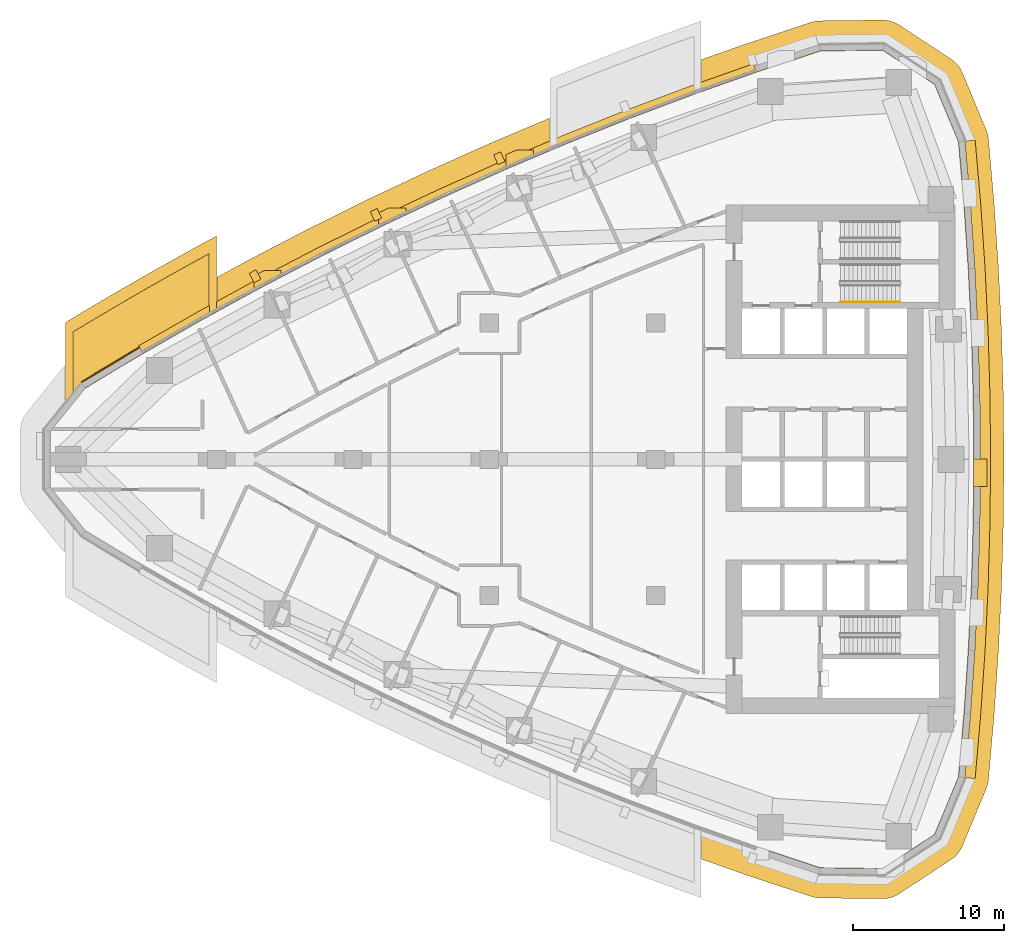
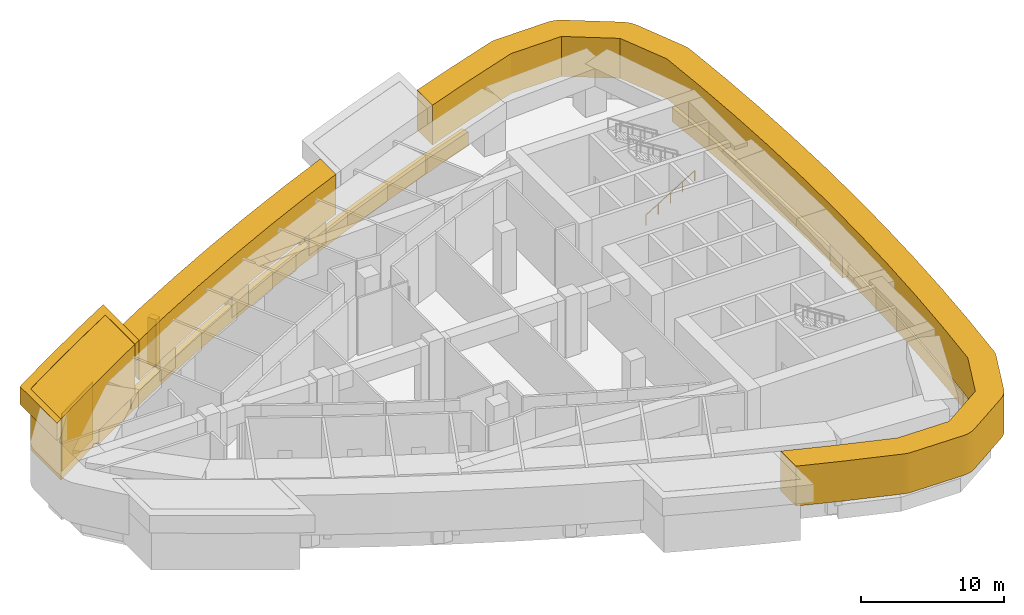
# One storey, part 17 of 19: 14 coverings, 1 railing.
"""IFC4 building model written with IfcOpenShell, lengths in metres."""

from ifc_helpers import new_model, si_unit, direction, frame, frame_2d, origin, origin_2d, place, context, subcontext, project, spatial, polyline, rectangle, circle, outline, extrude, material, layer, layer_set, type_object, element, save


model = new_model("IFC4")

# Units and contexts
model_context = context("Model", 3, precision=1e-05, world=origin(), true_north=direction((0.0, 1.0)))
body_context = subcontext(model_context, "Body", "Model", "MODEL_VIEW")
ifc_project = project(units=[si_unit("LENGTHUNIT", "METRE"), si_unit("AREAUNIT", "SQUARE_METRE"), si_unit("VOLUMEUNIT", "CUBIC_METRE"), si_unit("PLANEANGLEUNIT", "RADIAN"), si_unit("MASSUNIT", "GRAM", prefix="KILO")], contexts=[model_context])

# Site, building, storey
site_placement = place(None, origin())
site = spatial("IfcSite", under=ifc_project, at=site_placement, CompositionType="ELEMENT")
building_placement = place(site_placement, origin())
building = spatial("IfcBuilding", under=site, at=building_placement, Name="Ostrand Prow Hotel Tower", CompositionType="ELEMENT")
storey_placement = place(building_placement, frame((0.0, 0.0, 120.39990234375)))
storey = spatial("IfcBuildingStorey", under=building, at=storey_placement, Name="L29", CompositionType="ELEMENT", Elevation=120.39990234375)

# Coverings
ifc_material_1 = material(Name="Limestone cladding", Category="masonry")
ifc_layer_1 = layer(ifc_material_1, 2.0)
ifc_layer_set_1 = layer_set([ifc_layer_1], Name="Limestone cladding")
covering_type_1 = type_object("IfcCoveringType", Name="Belt lip limestone", PredefinedType="CLADDING", material=ifc_layer_set_1)
covering_1_placement = place(storey_placement, frame((0.0, 0.0, 1.800048828125)))
element("IfcCovering", 1, at=covering_1_placement, inside=storey, type_object=covering_type_1, Name="Belt L29 3", PredefinedType="CLADDING", context=body_context, shape_type="SweptSolid", body=[
    extrude(outline(polyline([(17.974365234375, 13.098388671875), (16.010009765625, 12.024658203125), (16.010009765625, 9.74951171875), (16.010009765625, 9.74853515625), (16.009765625, 9.74755859375), (16.009521484375, 9.74658203125), (16.00927734375, 9.74560546875), (16.0087890625, 9.744873046875), (16.0087890625, 9.74462890625), (18.93359375, 11.343505859375), (22.89208984375, 13.4052734375), (26.89111328125, 15.3876953125), (30.928955078125, 17.289306640625), (35.004150390625, 19.10986328125), (37.9990234375, 20.376220703125), (37.9990234375, 20.376220703125), (37.998046875, 20.37646484375), (37.9970703125, 20.376708984375), (37.99609375, 20.376953125), (37.995361328125, 20.37744140625), (37.994384765625, 20.3779296875), (37.99365234375, 20.378662109375), (37.992919921875, 20.379150390625), (37.9921875, 20.3798828125), (37.99169921875, 20.380615234375), (37.9912109375, 20.381591796875), (37.99072265625, 20.382568359375), (37.990478515625, 20.38330078125), (37.990234375, 20.38427734375), (37.989990234375, 20.38525390625), (37.989990234375, 20.38623046875), (37.989990234375, 22.5439453125), (34.22509765625, 20.951904296875), (34.1884765625, 20.935791015625), (30.11328125, 19.115478515625), (30.076904296875, 19.0986328125), (26.038818359375, 17.197021484375), (26.0029296875, 17.179443359375), (22.00390625, 15.197265625), (21.96826171875, 15.17919921875), (18.009765625, 13.1171875), (17.974365234375, 13.098388671875)])), origin(), (0.0, 0.0, 1.0), 3.400146484375),
])
covering_2_placement = place(storey_placement, frame((0.0, 0.0, 1.800048828125)))
element("IfcCovering", 2, at=covering_2_placement, inside=storey, type_object=covering_type_1, Name="Belt L29 4", PredefinedType="CLADDING", context=body_context, shape_type="SweptSolid", body=[
    extrude(outline(polyline([(50.977783203125, 27.450439453125), (48.010009765625, 26.400634765625), (48.010009765625, 24.28125), (48.010009765625, 24.2802734375), (48.009765625, 24.279296875), (48.009765625, 24.279296875), (51.644775390625, 25.56494140625), (55.881591796875, 26.968994140625), (59.982666015625, 27.020751953125), (63.408935546875, 24.76611328125), (64.98388671875, 20.97900390625), (65.349609375, 16.79248046875), (65.634033203125, 12.60009765625), (65.83740234375, 8.402587890625), (65.959228515625, 4.2021484375), (66.0, 0.0), (65.959228515625, -4.2021484375), (65.83740234375, -8.402587890625), (65.634033203125, -12.60009765625), (65.349609375, -16.79248046875), (64.98388671875, -20.97900390625), (63.408935546875, -24.76611328125), (59.982666015625, -27.020751953125), (55.881591796875, -26.968994140625), (51.644775390625, -25.56494140625), (48.009765625, -24.279296875), (48.009765625, -24.279296875), (48.010009765625, -24.2802734375), (48.010009765625, -24.28125), (48.010009765625, -26.400634765625), (50.977783203125, -27.450439453125), (51.015625, -27.46337890625), (55.25244140625, -28.867431640625), (55.449951171875, -28.921875), (55.65185546875, -28.955810546875), (55.856201171875, -28.96875), (59.95751953125, -29.0205078125), (60.155517578125, -29.01318359375), (60.351806640625, -28.986328125), (60.54443359375, -28.940185546875), (60.731689453125, -28.875244140625), (60.91162109375, -28.7919921875), (61.082275390625, -28.69140625), (64.50830078125, -26.436767578125), (64.668212890625, -26.31982421875), (64.81591796875, -26.1875), (64.94970703125, -26.04150390625), (65.068359375, -25.8828125), (65.170654296875, -25.712890625), (65.255615234375, -25.5341796875), (66.83056640625, -21.7470703125), (66.8994140625, -21.55419921875), (66.9482421875, -21.355712890625), (66.976318359375, -21.153076171875), (67.342041015625, -16.966552734375), (67.344970703125, -16.927978515625), (67.62939453125, -12.7353515625), (67.631591796875, -12.69677734375), (67.8349609375, -8.49951171875), (67.83642578125, -8.460693359375), (67.95849609375, -4.26025390625), (67.959228515625, -4.221435546875), (68.0, -0.019287109375), (68.0, 0.019287109375), (67.959228515625, 4.221435546875), (67.95849609375, 4.26025390625), (67.83642578125, 8.460693359375), (67.8349609375, 8.49951171875), (67.631591796875, 12.69677734375), (67.62939453125, 12.7353515625), (67.344970703125, 16.927978515625), (67.342041015625, 16.966552734375), (66.976318359375, 21.153076171875), (66.9482421875, 21.355712890625), (66.8994140625, 21.55419921875), (66.83056640625, 21.7470703125), (65.255615234375, 25.5341796875), (65.170654296875, 25.712890625), (65.068359375, 25.8828125), (64.94970703125, 26.04150390625), (64.81591796875, 26.1875), (64.668212890625, 26.31982421875), (64.50830078125, 26.436767578125), (61.082275390625, 28.69140625), (60.91162109375, 28.7919921875), (60.731689453125, 28.875244140625), (60.54443359375, 28.940185546875), (60.351806640625, 28.986328125), (60.155517578125, 29.01318359375), (59.95751953125, 29.0205078125), (55.856201171875, 28.96875), (55.65185546875, 28.955810546875), (55.449951171875, 28.921875), (55.25244140625, 28.867431640625), (51.015625, 27.46337890625), (50.977783203125, 27.450439453125)])), origin(), (0.0, 0.0, 1.0), 3.400146484375),
])
covering_3_placement = place(storey_placement, origin())
element("IfcCovering", 3, at=covering_3_placement, inside=storey, type_object=covering_type_1, Name="Belt fin 11 L29", PredefinedType="CLADDING", context=body_context, shape_type="SweptSolid", body=[
    extrude(outline(polyline([(66.8828125, -1.785888671875), (66.891357421875, -0.890380859375), (66.891357421875, 0.01416015625), (66.0, 0.01416015625), (66.0, 0.0), (65.982666015625, -1.785888671875), (66.8828125, -1.785888671875)])), origin(), (0.0, 0.0, 1.0), 1.800048828125),
])
covering_4_placement = place(storey_placement, origin())
element("IfcCovering", 4, at=covering_4_placement, inside=storey, type_object=covering_type_1, Name="Belt fin 17 L29", PredefinedType="CLADDING", context=body_context, shape_type="SweptSolid", body=[
    extrude(outline(polyline([(35.82568359375, 20.434326171875), (35.108154296875, 20.130859375), (35.108154296875, 19.15380859375), (36.908203125, 19.9150390625), (36.908203125, 20.434326171875), (35.82568359375, 20.434326171875)])), origin(), (0.0, 0.0, 1.0), 1.800048828125),
])
covering_5_placement = place(storey_placement, origin())
element("IfcCovering", 5, at=covering_5_placement, inside=storey, type_object=covering_type_1, Name="Belt fin 18 L29", PredefinedType="CLADDING", context=body_context, shape_type="SweptSolid", body=[
    extrude(outline(polyline([(27.394287109375, 16.619384765625), (26.695556640625, 16.290283203125), (26.695556640625, 15.29052734375), (26.89111328125, 15.3876953125), (28.49560546875, 16.143310546875), (28.49560546875, 16.619384765625), (27.394287109375, 16.619384765625)])), origin(), (0.0, 0.0, 1.0), 1.800048828125),
])
covering_6_placement = place(storey_placement, origin())
element("IfcCovering", 6, at=covering_6_placement, inside=storey, type_object=covering_type_1, Name="Belt fin 19 L29", PredefinedType="CLADDING", context=body_context, shape_type="SweptSolid", body=[
    extrude(outline(polyline([(18.517822265625, 12.1416015625), (18.501953125, 12.13330078125), (18.447998046875, 12.103759765625), (18.447998046875, 11.077880859375), (18.93359375, 11.343505859375), (20.247802734375, 12.028076171875), (20.247802734375, 12.459228515625), (19.127685546875, 12.459228515625), (18.517822265625, 12.1416015625)])), origin(), (0.0, 0.0, 1.0), 1.800048828125),
])
ifc_material_2 = material(Name="Bronze anodised aluminium cladding", Category="aluminium")
ifc_layer_2 = layer(ifc_material_2, 0.60009765625)
ifc_layer_set_2 = layer_set([ifc_layer_2], Name="Bronze anodised aluminium cladding")
covering_type_2 = type_object("IfcCoveringType", Name="Bronze spandrel band 1200x600", PredefinedType="CLADDING", material=ifc_layer_set_2)
covering_7_placement = place(storey_placement, frame((0.0, 0.0, -0.2998046875)))
element("IfcCovering", 7, at=covering_7_placement, inside=storey, type_object=covering_type_2, Name="Spandrel band N1", PredefinedType="CLADDING", context=body_context, shape_type="SweptSolid", body=[
    extrude(outline(polyline([(51.4501953125, 26.1328125), (47.231201171875, 24.64013671875), (43.042724609375, 23.0634765625), (38.88671875, 21.4033203125), (34.764892578125, 19.659912109375), (30.6787109375, 17.834716796875), (26.6298828125, 15.927734375), (22.620361328125, 13.940185546875), (18.651123046875, 11.872802734375), (14.72412109375, 9.726318359375), (10.841064453125, 7.50146484375), (11.144287109375, 6.98388671875), (15.01708984375, 9.20263671875), (18.93359375, 11.343505859375), (22.89208984375, 13.4052734375), (26.89111328125, 15.3876953125), (30.928955078125, 17.289306640625), (35.004150390625, 19.10986328125), (39.114990234375, 20.848388671875), (43.259765625, 22.504150390625), (47.43701171875, 24.076416015625), (51.644775390625, 25.56494140625), (51.4501953125, 26.1328125)])), origin(), (0.0, 0.0, 1.0), 1.199951171875),
])
covering_8_placement = place(storey_placement, frame((0.0, 0.0, -0.2998046875)))
element("IfcCovering", 8, at=covering_8_placement, inside=storey, type_object=covering_type_2, Name="Spandrel band back 3", PredefinedType="CLADDING", context=body_context, shape_type="SweptSolid", body=[
    extrude(outline(polyline([(66.09326171875, -21.086669921875), (66.460693359375, -16.87890625), (66.74658203125, -12.664794921875), (66.950927734375, -8.44580078125), (67.073486328125, -4.2236328125), (67.114501953125, 0.0), (67.073486328125, 4.2236328125), (66.950927734375, 8.44580078125), (66.74658203125, 12.664794921875), (66.460693359375, 16.87890625), (66.09326171875, 21.086669921875), (65.41650390625, 21.02099609375), (65.78271484375, 16.826416015625), (66.067626953125, 12.625244140625), (66.271484375, 8.41943359375), (66.393798828125, 4.21044921875), (66.434326171875, 0.0), (66.393798828125, -4.21044921875), (66.271484375, -8.41943359375), (66.067626953125, -12.625244140625), (65.78271484375, -16.826416015625), (65.41650390625, -21.02099609375), (66.09326171875, -21.086669921875)])), origin(), (0.0, 0.0, 1.0), 1.199951171875),
])
ifc_material_3 = material(Name="Limestone cladding", Category="masonry")
ifc_layer_3 = layer(ifc_material_3, 5.0)
ifc_layer_set_3 = layer_set([ifc_layer_3], Name="Limestone cladding")
covering_type_3 = type_object("IfcCoveringType", Name="Portal jamb pilaster limestone", PredefinedType="CLADDING", material=ifc_layer_set_3)
covering_9_placement = place(storey_placement, origin())
element("IfcCovering", 9, at=covering_9_placement, inside=storey, type_object=covering_type_3, Name="Portal jamb NA L29", PredefinedType="CLADDING", context=body_context, shape_type="SweptSolid", body=[
    extrude(outline(polyline([(6.5, 4.184326171875), (7.5, 4.80029296875), (8.5, 5.40869140625), (9.5, 6.01025390625), (10.5, 6.6044921875), (11.5, 7.19189453125), (12.5, 7.772216796875), (13.5, 8.345703125), (14.5, 8.912353515625), (15.5, 9.47216796875), (15.5, 13.581787109375), (14.5, 13.03369140625), (13.5, 12.478759765625), (12.5, 11.91748046875), (11.5, 11.349365234375), (10.5, 10.7744140625), (9.5, 10.19287109375), (8.5, 9.604248046875), (7.5, 9.0087890625), (6.5, 8.40625), (6.5, 4.184326171875)])), origin(), (0.0, 0.0, 1.0), 5.2001953125),
])
ifc_material_4 = material(Name="Limestone cladding", Category="masonry")
ifc_layer_4 = layer(ifc_material_4, 4.0)
ifc_layer_set_4 = layer_set([ifc_layer_4], Name="Limestone cladding")
covering_type_4 = type_object("IfcCoveringType", Name="Portal lintel limestone", PredefinedType="CLADDING", material=ifc_layer_set_4)
covering_10_placement = place(storey_placement, frame((0.0, 0.0, 3.7001953125)))
element("IfcCovering", 10, at=covering_10_placement, inside=storey, type_object=covering_type_4, Name="Portal jamb cap NA L29", PredefinedType="CLADDING", context=body_context, shape_type="SweptSolid", body=[
    extrude(outline(polyline([(6.0, 9.038818359375), (6.0, 3.873779296875), (6.491943359375, 4.178466796875), (6.49169921875, 4.178955078125), (6.4912109375, 4.1796875), (6.49072265625, 4.1806640625), (6.490478515625, 4.181396484375), (6.490234375, 4.182373046875), (6.489990234375, 4.183349609375), (6.489990234375, 4.184326171875), (6.489990234375, 8.40625), (6.489990234375, 8.4072265625), (6.490234375, 8.408447265625), (6.490478515625, 8.4091796875), (6.49072265625, 8.410400390625), (6.4912109375, 8.4111328125), (6.49169921875, 8.412109375), (6.492431640625, 8.412841796875), (6.4931640625, 8.41357421875), (6.493896484375, 8.414306640625), (6.494873046875, 8.414794921875), (7.494873046875, 9.017333984375), (7.494873046875, 9.017333984375), (8.494873046875, 9.61279296875), (8.494873046875, 9.61279296875), (9.494873046875, 10.201416015625), (9.4951171875, 10.201416015625), (10.4951171875, 10.783203125), (10.4951171875, 10.783203125), (11.4951171875, 11.35791015625), (11.4951171875, 11.35791015625), (12.4951171875, 11.926025390625), (12.4951171875, 11.926025390625), (13.4951171875, 12.487548828125), (13.4951171875, 12.487548828125), (14.4951171875, 13.042236328125), (14.4951171875, 13.04248046875), (15.4951171875, 13.590576171875), (15.49609375, 13.591064453125), (15.4970703125, 13.59130859375), (15.498046875, 13.591552734375), (15.498779296875, 13.591796875), (15.5, 13.591796875), (15.5009765625, 13.591796875), (15.501953125, 13.591552734375), (15.502685546875, 13.59130859375), (15.50390625, 13.591064453125), (15.504638671875, 13.5908203125), (15.505615234375, 13.590087890625), (15.50634765625, 13.589599609375), (15.507080078125, 13.5888671875), (15.5078125, 13.588134765625), (15.50830078125, 13.58740234375), (15.5087890625, 13.586669921875), (15.50927734375, 13.585693359375), (15.509521484375, 13.584716796875), (15.509765625, 13.583740234375), (15.510009765625, 13.582763671875), (15.510009765625, 13.581787109375), (15.510009765625, 9.476806640625), (16.0, 9.74951171875), (16.0, 14.7626953125), (15.0, 14.220458984375), (14.0, 13.67138671875), (13.0, 13.115966796875), (12.0, 12.5537109375), (11.0, 11.98486328125), (10.0, 11.409423828125), (9.0, 10.8271484375), (8.0, 10.23779296875), (7.0, 9.641845703125), (6.0, 9.038818359375)])), origin(), (0.0, 0.0, 1.0), 1.5),
])
ifc_material_5 = material(Name="Limestone cladding", Category="masonry")
ifc_layer_5 = layer(ifc_material_5, 0.5)
ifc_layer_set_5 = layer_set([ifc_layer_5], Name="Limestone cladding")
covering_type_5 = type_object("IfcCoveringType", Name="Precast stone fin 500x600", PredefinedType="CLADDING", material=ifc_layer_set_5)
covering_11_placement = place(storey_placement, frame((34.8046875, 19.568359375, 0.900146484375), z_axis=(0.0, 0.0, 1.0), x_axis=(-0.398713356045, 0.917075601961, 0.0)))
element("IfcCovering", 11, at=covering_11_placement, inside=storey, type_object=covering_type_5, Name="Stone fin N 5", PredefinedType="CLADDING", context=body_context, shape_type="SweptSolid", body=[
    extrude(rectangle(XDim=0.699951171875, YDim=0.5, at=frame_2d((0.35009765625, 0.0))), origin(), (0.0, 0.0, 1.0), 4.0),
])
covering_12_placement = place(storey_placement, frame((26.673583984375, 15.837646484375, 0.900146484375), z_axis=(0.0, 0.0, 1.0), x_axis=(-0.435178082729, 0.900344398723, 0.0)))
element("IfcCovering", 12, at=covering_12_placement, inside=storey, type_object=covering_type_5, Name="Stone fin N 7", PredefinedType="CLADDING", context=body_context, shape_type="SweptSolid", body=[
    extrude(rectangle(XDim=0.7001953125, YDim=0.5, at=frame_2d((0.35009765625, 0.0))), origin(), (0.0, 0.0, 1.0), 4.0),
])
covering_13_placement = place(storey_placement, frame((18.6982421875, 11.78466796875, 0.900146484375), z_axis=(0.0, 0.0, 1.0), x_axis=(-0.470914095304, 0.882179071869, 0.0)))
element("IfcCovering", 13, at=covering_13_placement, inside=storey, type_object=covering_type_5, Name="Stone fin N 9", PredefinedType="CLADDING", context=body_context, shape_type="SweptSolid", body=[
    extrude(rectangle(XDim=0.699951171875, YDim=0.5, at=frame_2d((0.35009765625, 0.0))), origin(), (0.0, 0.0, 1.0), 4.0),
])

# Railing
ifc_material_6 = material(Name="Stainless steel", Category="steel")
railing_type = type_object("IfcRailingType", Name="Stair handrail 900", PredefinedType="HANDRAIL", material=ifc_material_6)
railing_placement = place(storey_placement, frame((57.199951171875, 10.39990234375, 0.17333984375)))
element("IfcRailing", 14, at=railing_placement, inside=storey, type_object=railing_type, Name="L29 ST1C stair handrail 1", PredefinedType="HANDRAIL", context=body_context, shape_type="SweptSolid", body=[
    extrude(circle(Radius=0.02392578125, at=origin_2d()), frame((0.0, 0.0, 0.8759765625), z_axis=(0.850266275192, 0.0, 0.526352791643), x_axis=(0.0, 1.0, 0.0)), (0.0, 0.0, 1.0), 4.610595703125),
    extrude(circle(Radius=0.02099609375, at=origin_2d()), origin(), (0.0, 0.0, 1.0), 0.851806640625),
    extrude(circle(Radius=0.02099609375, at=origin_2d()), frame((0.97998046875, 0.0, 0.606689453125)), (0.0, 0.0, 1.0), 0.851806640625),
    extrude(circle(Radius=0.02099609375, at=origin_2d()), frame((1.9599609375, 0.0, 1.21337890625)), (0.0, 0.0, 1.0), 0.851806640625),
    extrude(circle(Radius=0.02099609375, at=origin_2d()), frame((2.940185546875, 0.0, 1.820068359375)), (0.0, 0.0, 1.0), 0.851806640625),
    extrude(circle(Radius=0.02099609375, at=origin_2d()), frame((3.920166015625, 0.0, 2.4267578125)), (0.0, 0.0, 1.0), 0.851806640625),
])

# Covering
ifc_material_7 = material(Name="Limestone cladding", Category="masonry")
ifc_layer_6 = layer(ifc_material_7, 0.080078125)
ifc_layer_set_6 = layer_set([ifc_layer_6], Name="Limestone cladding")
covering_type_6 = type_object("IfcCoveringType", Name="Warm limestone cladding 80 mm", PredefinedType="CLADDING", material=ifc_layer_set_6)
covering_14_placement = place(storey_placement, frame((10.904541015625, 7.393310546875, 0.0), z_axis=(0.0, 0.0, 1.0), x_axis=(-0.857531451493, -0.514431540343, 0.0)))
element("IfcCovering", 15, at=covering_14_placement, inside=storey, type_object=covering_type_6, Name="Limestone cladding prow 1", PredefinedType="CLADDING", context=body_context, shape_type="SweptSolid", body=[
    extrude(outline(polyline([(0.0, -0.0400390625), (4.47998046875, -0.0400390625), (4.4658203125, 0.0400390625), (0.0, 0.0400390625), (0.0, -0.0400390625)])), origin(), (0.0, 0.0, 1.0), 4.900146484375),
])

save(model, "model.ifc")
